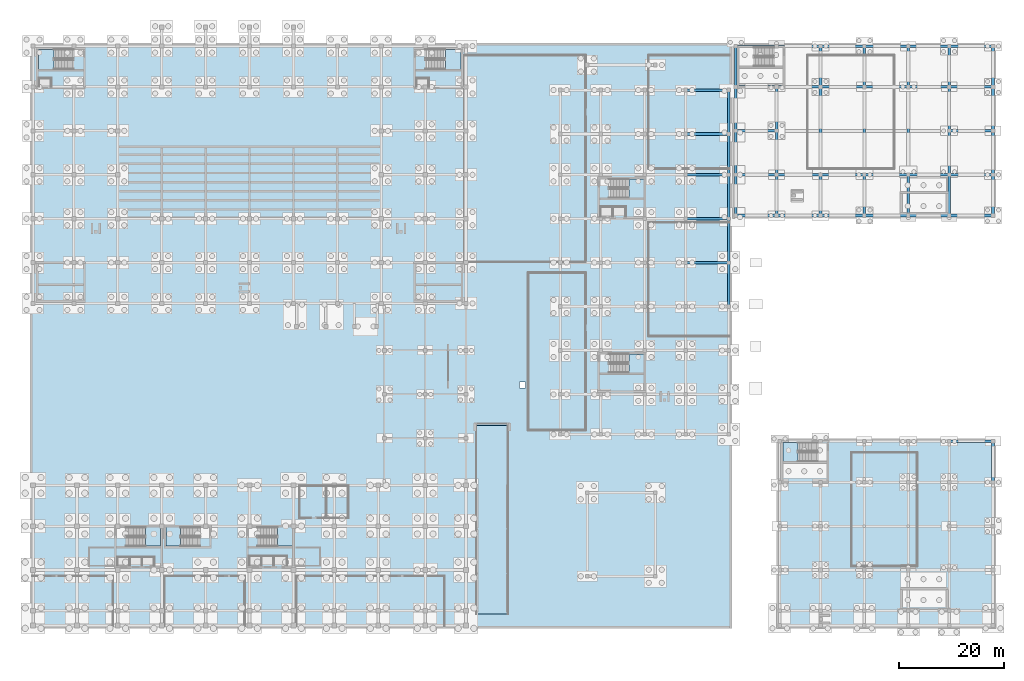
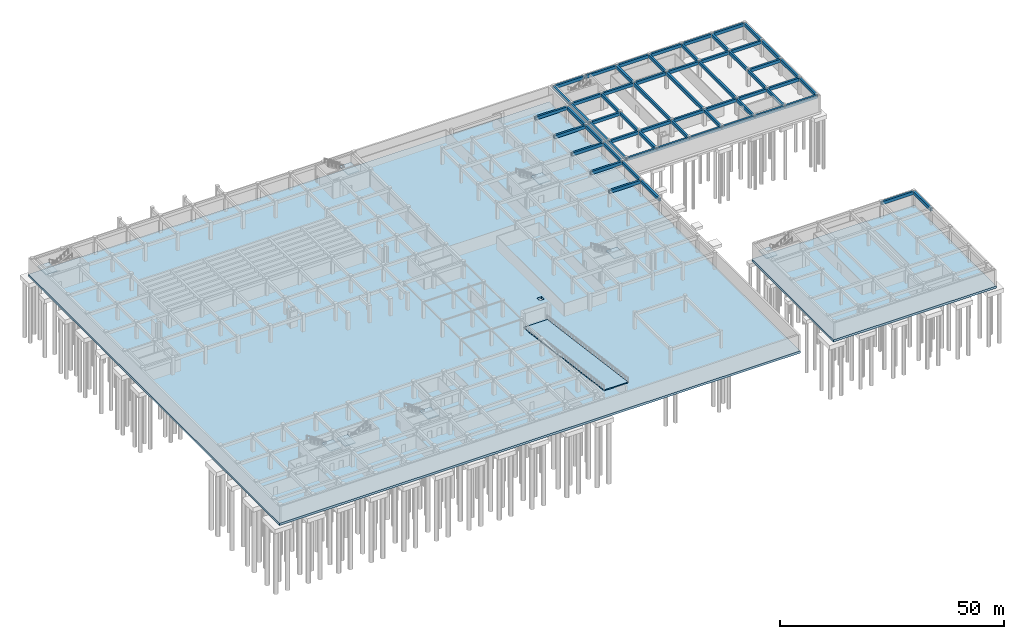
# One storey, part 14 of 35: 62 beams, 11 slabs, 8 elements without a shape of their own.
"""IFC4 building model written with IfcOpenShell, lengths in metres."""

from ifc_helpers import new_model, si_unit, direction, frame, origin, origin_2d, place, context, subcontext, project, spatial, polyline, rectangle, outline, extrude, material, layer, layer_set, material_profile, profile_set, type_object, element, aggregate, save


model = new_model("IFC4")

# Units and contexts
model_context = context("Model", 3, precision=1e-05, world=origin(), true_north=direction((0.0, 1.0)))
body_context = subcontext(model_context, "Body", "Model", "MODEL_VIEW")
ifc_project = project(units=[si_unit("LENGTHUNIT", "METRE"), si_unit("AREAUNIT", "SQUARE_METRE"), si_unit("VOLUMEUNIT", "CUBIC_METRE"), si_unit("PLANEANGLEUNIT", "RADIAN"), si_unit("MASSUNIT", "GRAM", prefix="KILO")], contexts=[model_context])

# Site, building, storey
site_placement = place(None, origin())
site = spatial("IfcSite", under=ifc_project, at=site_placement, CompositionType="ELEMENT")
building_placement = place(site_placement, origin())
building = spatial("IfcBuilding", under=site, at=building_placement, Name="Zayran Congress Hotel", CompositionType="ELEMENT")
storey_placement = place(building_placement, frame((0.0, 0.0, -4.800048828125)))
storey = spatial("IfcBuildingStorey", under=building, at=storey_placement, Name="B1", CompositionType="ELEMENT", Elevation=-4.800048828125)

# Beams
ifc_material_1 = material(Name="Concrete C40/50", Category="concrete")
ifc_material_profile = material_profile(ifc_material_1, rectangle(XDim=0.5, YDim=0.85009765625, at=origin_2d()), Name="RC 500x850")
ifc_profile_set = profile_set([ifc_material_profile], Name="Concrete C40/50")
beam_type = type_object("IfcBeamType", Name="TP-BM-01", PredefinedType="BEAM", material=ifc_profile_set)
beam_1_placement = place(storey_placement, frame((143.39990234375, 85.0, 4.054931640625), z_axis=(1.0, 0.0, 0.0), x_axis=(0.0, 1.0, 0.0)))
element("IfcBeam", 1, at=beam_1_placement, inside=storey, type_object=beam_type, Name="BM-B1-0108", PredefinedType="BEAM", context=body_context, shape_type="SweptSolid", body=[
    extrude(rectangle(XDim=0.5, YDim=0.85009765625, at=origin_2d()), origin(), (0.0, 0.0, 1.0), 7.800048828125),
])
beam_2_placement = place(storey_placement, frame((151.199951171875, 85.0, 4.054931640625), z_axis=(1.0, 0.0, 0.0), x_axis=(0.0, 1.0, 0.0)))
element("IfcBeam", 2, at=beam_2_placement, inside=storey, type_object=beam_type, Name="BM-B1-0109", PredefinedType="BEAM", context=body_context, shape_type="SweptSolid", body=[
    extrude(rectangle(XDim=0.5, YDim=0.85009765625, at=origin_2d()), origin(), (0.0, 0.0, 1.0), 8.400146484375),
])
for number, where, z_axis, x_axis, name in (
    (3, (159.60009765625, 85.0, 4.054931640625), (1.0, 0.0, 0.0), (0.0, 1.0, 0.0), "BM-B1-0110"),
    (4, (168.0, 85.0, 4.054931640625), (1.0, 0.0, 0.0), (0.0, 1.0, 0.0), "BM-B1-0111"),
):
    element("IfcBeam", number, at=place(storey_placement, frame(where, z_axis=z_axis, x_axis=x_axis)), inside=storey, type_object=beam_type, Name=name, PredefinedType="BEAM", context=body_context, shape_type="SweptSolid", body=[
        extrude(rectangle(XDim=0.5, YDim=0.85009765625, at=origin_2d()), origin(), (0.0, 0.0, 1.0), 8.39990234375),
    ])
beam_3_placement = place(storey_placement, frame((176.39990234375, 85.0, 4.054931640625), z_axis=(1.0, 0.0, 0.0), x_axis=(0.0, 1.0, 0.0)))
element("IfcBeam", 5, at=beam_3_placement, inside=storey, type_object=beam_type, Name="BM-B1-0112", PredefinedType="BEAM", context=body_context, shape_type="SweptSolid", body=[
    extrude(rectangle(XDim=0.5, YDim=0.85009765625, at=origin_2d()), origin(), (0.0, 0.0, 1.0), 7.800048828125),
])
beam_4_placement = place(storey_placement, frame((184.199951171875, 85.0, 4.054931640625), z_axis=(1.0, 0.0, 0.0), x_axis=(0.0, 1.0, 0.0)))
element("IfcBeam", 6, at=beam_4_placement, inside=storey, type_object=beam_type, Name="BM-B1-0113", PredefinedType="BEAM", context=body_context, shape_type="SweptSolid", body=[
    extrude(rectangle(XDim=0.5, YDim=0.85009765625, at=origin_2d()), origin(), (0.0, 0.0, 1.0), 8.400146484375),
])
beam_5_placement = place(storey_placement, frame((143.39990234375, 92.800048828125, 4.054931640625), z_axis=(1.0, 0.0, 0.0), x_axis=(0.0, 1.0, 0.0)))
element("IfcBeam", 7, at=beam_5_placement, inside=storey, type_object=beam_type, Name="BM-B1-0114", PredefinedType="BEAM", context=body_context, shape_type="SweptSolid", body=[
    extrude(rectangle(XDim=0.5, YDim=0.85009765625, at=origin_2d()), origin(), (0.0, 0.0, 1.0), 7.800048828125),
])
beam_6_placement = place(storey_placement, frame((151.199951171875, 92.800048828125, 4.054931640625), z_axis=(1.0, 0.0, 0.0), x_axis=(0.0, 1.0, 0.0)))
element("IfcBeam", 8, at=beam_6_placement, inside=storey, type_object=beam_type, Name="BM-B1-0115", PredefinedType="BEAM", context=body_context, shape_type="SweptSolid", body=[
    extrude(rectangle(XDim=0.5, YDim=0.85009765625, at=origin_2d()), origin(), (0.0, 0.0, 1.0), 8.400146484375),
])
for number, where, z_axis, x_axis, name in (
    (9, (159.60009765625, 92.800048828125, 4.054931640625), (1.0, 0.0, 0.0), (0.0, 1.0, 0.0), "BM-B1-0116"),
    (10, (168.0, 92.800048828125, 4.054931640625), (1.0, 0.0, 0.0), (0.0, 1.0, 0.0), "BM-B1-0117"),
):
    element("IfcBeam", number, at=place(storey_placement, frame(where, z_axis=z_axis, x_axis=x_axis)), inside=storey, type_object=beam_type, Name=name, PredefinedType="BEAM", context=body_context, shape_type="SweptSolid", body=[
        extrude(rectangle(XDim=0.5, YDim=0.85009765625, at=origin_2d()), origin(), (0.0, 0.0, 1.0), 8.39990234375),
    ])
beam_7_placement = place(storey_placement, frame((176.39990234375, 92.800048828125, 4.054931640625), z_axis=(1.0, 0.0, 0.0), x_axis=(0.0, 1.0, 0.0)))
element("IfcBeam", 11, at=beam_7_placement, inside=storey, type_object=beam_type, Name="BM-B1-0118", PredefinedType="BEAM", context=body_context, shape_type="SweptSolid", body=[
    extrude(rectangle(XDim=0.5, YDim=0.85009765625, at=origin_2d()), origin(), (0.0, 0.0, 1.0), 7.800048828125),
])
beam_8_placement = place(storey_placement, frame((184.199951171875, 92.800048828125, 4.054931640625), z_axis=(1.0, 0.0, 0.0), x_axis=(0.0, 1.0, 0.0)))
element("IfcBeam", 12, at=beam_8_placement, inside=storey, type_object=beam_type, Name="BM-B1-0119", PredefinedType="BEAM", context=body_context, shape_type="SweptSolid", body=[
    extrude(rectangle(XDim=0.5, YDim=0.85009765625, at=origin_2d()), origin(), (0.0, 0.0, 1.0), 8.400146484375),
])
beam_9_placement = place(storey_placement, frame((143.39990234375, 101.199951171875, 4.054931640625), z_axis=(1.0, 0.0, 0.0), x_axis=(0.0, 1.0, 0.0)))
element("IfcBeam", 13, at=beam_9_placement, inside=storey, type_object=beam_type, Name="BM-B1-0120", PredefinedType="BEAM", context=body_context, shape_type="SweptSolid", body=[
    extrude(rectangle(XDim=0.5, YDim=0.85009765625, at=origin_2d()), origin(), (0.0, 0.0, 1.0), 7.800048828125),
])
beam_10_placement = place(storey_placement, frame((184.199951171875, 101.199951171875, 4.054931640625), z_axis=(1.0, 0.0, 0.0), x_axis=(0.0, 1.0, 0.0)))
element("IfcBeam", 14, at=beam_10_placement, inside=storey, type_object=beam_type, Name="BM-B1-0121", PredefinedType="BEAM", context=body_context, shape_type="SweptSolid", body=[
    extrude(rectangle(XDim=0.5, YDim=0.85009765625, at=origin_2d()), origin(), (0.0, 0.0, 1.0), 8.400146484375),
])
beam_11_placement = place(storey_placement, frame((143.39990234375, 109.60009765625, 4.054931640625), z_axis=(1.0, 0.0, 0.0), x_axis=(0.0, 1.0, 0.0)))
element("IfcBeam", 15, at=beam_11_placement, inside=storey, type_object=beam_type, Name="BM-B1-0122", PredefinedType="BEAM", context=body_context, shape_type="SweptSolid", body=[
    extrude(rectangle(XDim=0.5, YDim=0.85009765625, at=origin_2d()), origin(), (0.0, 0.0, 1.0), 7.800048828125),
])
beam_12_placement = place(storey_placement, frame((151.199951171875, 109.60009765625, 4.054931640625), z_axis=(1.0, 0.0, 0.0), x_axis=(0.0, 1.0, 0.0)))
element("IfcBeam", 16, at=beam_12_placement, inside=storey, type_object=beam_type, Name="BM-B1-0123", PredefinedType="BEAM", context=body_context, shape_type="SweptSolid", body=[
    extrude(rectangle(XDim=0.5, YDim=0.85009765625, at=origin_2d()), origin(), (0.0, 0.0, 1.0), 8.400146484375),
])
for number, where, z_axis, x_axis, name in (
    (17, (159.60009765625, 109.60009765625, 4.054931640625), (1.0, 0.0, 0.0), (0.0, 1.0, 0.0), "BM-B1-0124"),
    (18, (168.0, 109.60009765625, 4.054931640625), (1.0, 0.0, 0.0), (0.0, 1.0, 0.0), "BM-B1-0125"),
):
    element("IfcBeam", number, at=place(storey_placement, frame(where, z_axis=z_axis, x_axis=x_axis)), inside=storey, type_object=beam_type, Name=name, PredefinedType="BEAM", context=body_context, shape_type="SweptSolid", body=[
        extrude(rectangle(XDim=0.5, YDim=0.85009765625, at=origin_2d()), origin(), (0.0, 0.0, 1.0), 8.39990234375),
    ])
beam_13_placement = place(storey_placement, frame((176.39990234375, 109.60009765625, 4.054931640625), z_axis=(1.0, 0.0, 0.0), x_axis=(0.0, 1.0, 0.0)))
element("IfcBeam", 19, at=beam_13_placement, inside=storey, type_object=beam_type, Name="BM-B1-0126", PredefinedType="BEAM", context=body_context, shape_type="SweptSolid", body=[
    extrude(rectangle(XDim=0.5, YDim=0.85009765625, at=origin_2d()), origin(), (0.0, 0.0, 1.0), 7.800048828125),
])
beam_14_placement = place(storey_placement, frame((184.199951171875, 109.60009765625, 4.054931640625), z_axis=(1.0, 0.0, 0.0), x_axis=(0.0, 1.0, 0.0)))
element("IfcBeam", 20, at=beam_14_placement, inside=storey, type_object=beam_type, Name="BM-B1-0127", PredefinedType="BEAM", context=body_context, shape_type="SweptSolid", body=[
    extrude(rectangle(XDim=0.5, YDim=0.85009765625, at=origin_2d()), origin(), (0.0, 0.0, 1.0), 8.400146484375),
])
beam_15_placement = place(storey_placement, frame((143.39990234375, 117.39990234375, 4.054931640625), z_axis=(1.0, 0.0, 0.0), x_axis=(0.0, 1.0, 0.0)))
element("IfcBeam", 21, at=beam_15_placement, inside=storey, type_object=beam_type, Name="BM-B1-0128", PredefinedType="BEAM", context=body_context, shape_type="SweptSolid", body=[
    extrude(rectangle(XDim=0.5, YDim=0.85009765625, at=origin_2d()), origin(), (0.0, 0.0, 1.0), 7.800048828125),
])
beam_16_placement = place(storey_placement, frame((151.199951171875, 117.39990234375, 4.054931640625), z_axis=(1.0, 0.0, 0.0), x_axis=(0.0, 1.0, 0.0)))
element("IfcBeam", 22, at=beam_16_placement, inside=storey, type_object=beam_type, Name="BM-B1-0129", PredefinedType="BEAM", context=body_context, shape_type="SweptSolid", body=[
    extrude(rectangle(XDim=0.5, YDim=0.85009765625, at=origin_2d()), origin(), (0.0, 0.0, 1.0), 8.400146484375),
])
for number, where, z_axis, x_axis, name in (
    (23, (159.60009765625, 117.39990234375, 4.054931640625), (1.0, 0.0, 0.0), (0.0, 1.0, 0.0), "BM-B1-0130"),
    (24, (168.0, 117.39990234375, 4.054931640625), (1.0, 0.0, 0.0), (0.0, 1.0, 0.0), "BM-B1-0131"),
):
    element("IfcBeam", number, at=place(storey_placement, frame(where, z_axis=z_axis, x_axis=x_axis)), inside=storey, type_object=beam_type, Name=name, PredefinedType="BEAM", context=body_context, shape_type="SweptSolid", body=[
        extrude(rectangle(XDim=0.5, YDim=0.85009765625, at=origin_2d()), origin(), (0.0, 0.0, 1.0), 8.39990234375),
    ])
beam_17_placement = place(storey_placement, frame((176.39990234375, 117.39990234375, 4.054931640625), z_axis=(1.0, 0.0, 0.0), x_axis=(0.0, 1.0, 0.0)))
element("IfcBeam", 25, at=beam_17_placement, inside=storey, type_object=beam_type, Name="BM-B1-0132", PredefinedType="BEAM", context=body_context, shape_type="SweptSolid", body=[
    extrude(rectangle(XDim=0.5, YDim=0.85009765625, at=origin_2d()), origin(), (0.0, 0.0, 1.0), 7.800048828125),
])
beam_18_placement = place(storey_placement, frame((184.199951171875, 117.39990234375, 4.054931640625), z_axis=(1.0, 0.0, 0.0), x_axis=(0.0, 1.0, 0.0)))
element("IfcBeam", 26, at=beam_18_placement, inside=storey, type_object=beam_type, Name="BM-B1-0133", PredefinedType="BEAM", context=body_context, shape_type="SweptSolid", body=[
    extrude(rectangle(XDim=0.5, YDim=0.85009765625, at=origin_2d()), origin(), (0.0, 0.0, 1.0), 8.400146484375),
])
beam_19_placement = place(storey_placement, frame((143.39990234375, 85.0, 4.054931640625), z_axis=(0.0, 1.0, 0.0), x_axis=(-1.0, 0.0, 0.0)))
element("IfcBeam", 27, at=beam_19_placement, inside=storey, type_object=beam_type, Name="BM-B1-0134", PredefinedType="BEAM", context=body_context, shape_type="SweptSolid", body=[
    extrude(rectangle(XDim=0.5, YDim=0.85009765625, at=origin_2d()), origin(), (0.0, 0.0, 1.0), 7.800048828125),
])
beam_20_placement = place(storey_placement, frame((143.39990234375, 92.800048828125, 4.054931640625), z_axis=(0.0, 1.0, 0.0), x_axis=(-1.0, 0.0, 0.0)))
element("IfcBeam", 28, at=beam_20_placement, inside=storey, type_object=beam_type, Name="BM-B1-0135", PredefinedType="BEAM", context=body_context, shape_type="SweptSolid", body=[
    extrude(rectangle(XDim=0.5, YDim=0.85009765625, at=origin_2d()), origin(), (0.0, 0.0, 1.0), 8.39990234375),
])
beam_21_placement = place(storey_placement, frame((143.39990234375, 101.199951171875, 4.054931640625), z_axis=(0.0, 1.0, 0.0), x_axis=(-1.0, 0.0, 0.0)))
element("IfcBeam", 29, at=beam_21_placement, inside=storey, type_object=beam_type, Name="BM-B1-0136", PredefinedType="BEAM", context=body_context, shape_type="SweptSolid", body=[
    extrude(rectangle(XDim=0.5, YDim=0.85009765625, at=origin_2d()), origin(), (0.0, 0.0, 1.0), 8.400146484375),
])
beam_22_placement = place(storey_placement, frame((143.39990234375, 109.60009765625, 4.054931640625), z_axis=(0.0, 1.0, 0.0), x_axis=(-1.0, 0.0, 0.0)))
element("IfcBeam", 30, at=beam_22_placement, inside=storey, type_object=beam_type, Name="BM-B1-0137", PredefinedType="BEAM", context=body_context, shape_type="SweptSolid", body=[
    extrude(rectangle(XDim=0.5, YDim=0.85009765625, at=origin_2d()), origin(), (0.0, 0.0, 1.0), 7.7998046875),
])
beam_23_placement = place(storey_placement, frame((151.199951171875, 85.0, 4.054931640625), z_axis=(0.0, 1.0, 0.0), x_axis=(-1.0, 0.0, 0.0)))
element("IfcBeam", 31, at=beam_23_placement, inside=storey, type_object=beam_type, Name="BM-B1-0138", PredefinedType="BEAM", context=body_context, shape_type="SweptSolid", body=[
    extrude(rectangle(XDim=0.5, YDim=0.85009765625, at=origin_2d()), origin(), (0.0, 0.0, 1.0), 7.800048828125),
])
beam_24_placement = place(storey_placement, frame((151.199951171875, 92.800048828125, 4.054931640625), z_axis=(0.0, 1.0, 0.0), x_axis=(-1.0, 0.0, 0.0)))
element("IfcBeam", 32, at=beam_24_placement, inside=storey, type_object=beam_type, Name="BM-B1-0139", PredefinedType="BEAM", context=body_context, shape_type="SweptSolid", body=[
    extrude(rectangle(XDim=0.5, YDim=0.85009765625, at=origin_2d()), origin(), (0.0, 0.0, 1.0), 8.39990234375),
])
beam_25_placement = place(storey_placement, frame((151.199951171875, 101.199951171875, 4.054931640625), z_axis=(0.0, 1.0, 0.0), x_axis=(-1.0, 0.0, 0.0)))
element("IfcBeam", 33, at=beam_25_placement, inside=storey, type_object=beam_type, Name="BM-B1-0140", PredefinedType="BEAM", context=body_context, shape_type="SweptSolid", body=[
    extrude(rectangle(XDim=0.5, YDim=0.85009765625, at=origin_2d()), origin(), (0.0, 0.0, 1.0), 8.400146484375),
])
beam_26_placement = place(storey_placement, frame((159.60009765625, 85.0, 4.054931640625), z_axis=(0.0, 1.0, 0.0), x_axis=(-1.0, 0.0, 0.0)))
element("IfcBeam", 34, at=beam_26_placement, inside=storey, type_object=beam_type, Name="BM-B1-0142", PredefinedType="BEAM", context=body_context, shape_type="SweptSolid", body=[
    extrude(rectangle(XDim=0.5, YDim=0.85009765625, at=origin_2d()), origin(), (0.0, 0.0, 1.0), 7.800048828125),
])
beam_27_placement = place(storey_placement, frame((159.60009765625, 92.800048828125, 4.054931640625), z_axis=(0.0, 1.0, 0.0), x_axis=(-1.0, 0.0, 0.0)))
element("IfcBeam", 35, at=beam_27_placement, inside=storey, type_object=beam_type, Name="BM-B1-0143", PredefinedType="BEAM", context=body_context, shape_type="SweptSolid", body=[
    extrude(rectangle(XDim=0.5, YDim=0.85009765625, at=origin_2d()), origin(), (0.0, 0.0, 1.0), 16.800048828125),
])
beam_28_placement = place(storey_placement, frame((159.60009765625, 109.60009765625, 4.054931640625), z_axis=(0.0, 1.0, 0.0), x_axis=(-1.0, 0.0, 0.0)))
element("IfcBeam", 36, at=beam_28_placement, inside=storey, type_object=beam_type, Name="BM-B1-0144", PredefinedType="BEAM", context=body_context, shape_type="SweptSolid", body=[
    extrude(rectangle(XDim=0.5, YDim=0.85009765625, at=origin_2d()), origin(), (0.0, 0.0, 1.0), 7.7998046875),
])
beam_29_placement = place(storey_placement, frame((168.0, 85.0, 4.054931640625), z_axis=(0.0, 1.0, 0.0), x_axis=(-1.0, 0.0, 0.0)))
element("IfcBeam", 37, at=beam_29_placement, inside=storey, type_object=beam_type, Name="BM-B1-0145", PredefinedType="BEAM", context=body_context, shape_type="SweptSolid", body=[
    extrude(rectangle(XDim=0.5, YDim=0.85009765625, at=origin_2d()), origin(), (0.0, 0.0, 1.0), 7.800048828125),
])
beam_30_placement = place(storey_placement, frame((168.0, 92.800048828125, 4.054931640625), z_axis=(0.0, 1.0, 0.0), x_axis=(-1.0, 0.0, 0.0)))
element("IfcBeam", 38, at=beam_30_placement, inside=storey, type_object=beam_type, Name="BM-B1-0146", PredefinedType="BEAM", context=body_context, shape_type="SweptSolid", body=[
    extrude(rectangle(XDim=0.5, YDim=0.85009765625, at=origin_2d()), origin(), (0.0, 0.0, 1.0), 16.800048828125),
])
beam_31_placement = place(storey_placement, frame((168.0, 109.60009765625, 4.054931640625), z_axis=(0.0, 1.0, 0.0), x_axis=(-1.0, 0.0, 0.0)))
element("IfcBeam", 39, at=beam_31_placement, inside=storey, type_object=beam_type, Name="BM-B1-0147", PredefinedType="BEAM", context=body_context, shape_type="SweptSolid", body=[
    extrude(rectangle(XDim=0.5, YDim=0.85009765625, at=origin_2d()), origin(), (0.0, 0.0, 1.0), 7.7998046875),
])
beam_32_placement = place(storey_placement, frame((176.39990234375, 85.0, 4.054931640625), z_axis=(0.0, 1.0, 0.0), x_axis=(-1.0, 0.0, 0.0)))
element("IfcBeam", 40, at=beam_32_placement, inside=storey, type_object=beam_type, Name="BM-B1-0148", PredefinedType="BEAM", context=body_context, shape_type="SweptSolid", body=[
    extrude(rectangle(XDim=0.5, YDim=0.85009765625, at=origin_2d()), origin(), (0.0, 0.0, 1.0), 7.800048828125),
])
beam_33_placement = place(storey_placement, frame((176.39990234375, 92.800048828125, 4.054931640625), z_axis=(0.0, 1.0, 0.0), x_axis=(-1.0, 0.0, 0.0)))
element("IfcBeam", 41, at=beam_33_placement, inside=storey, type_object=beam_type, Name="BM-B1-0149", PredefinedType="BEAM", context=body_context, shape_type="SweptSolid", body=[
    extrude(rectangle(XDim=0.5, YDim=0.85009765625, at=origin_2d()), origin(), (0.0, 0.0, 1.0), 16.800048828125),
])
beam_34_placement = place(storey_placement, frame((176.39990234375, 109.60009765625, 4.054931640625), z_axis=(0.0, 1.0, 0.0), x_axis=(-1.0, 0.0, 0.0)))
element("IfcBeam", 42, at=beam_34_placement, inside=storey, type_object=beam_type, Name="BM-B1-0150", PredefinedType="BEAM", context=body_context, shape_type="SweptSolid", body=[
    extrude(rectangle(XDim=0.5, YDim=0.85009765625, at=origin_2d()), origin(), (0.0, 0.0, 1.0), 7.7998046875),
])
beam_35_placement = place(storey_placement, frame((184.199951171875, 85.0, 4.054931640625), z_axis=(0.0, 1.0, 0.0), x_axis=(-1.0, 0.0, 0.0)))
element("IfcBeam", 43, at=beam_35_placement, inside=storey, type_object=beam_type, Name="BM-B1-0151", PredefinedType="BEAM", context=body_context, shape_type="SweptSolid", body=[
    extrude(rectangle(XDim=0.5, YDim=0.85009765625, at=origin_2d()), origin(), (0.0, 0.0, 1.0), 7.800048828125),
])
beam_36_placement = place(storey_placement, frame((184.199951171875, 92.800048828125, 4.054931640625), z_axis=(0.0, 1.0, 0.0), x_axis=(-1.0, 0.0, 0.0)))
element("IfcBeam", 44, at=beam_36_placement, inside=storey, type_object=beam_type, Name="BM-B1-0152", PredefinedType="BEAM", context=body_context, shape_type="SweptSolid", body=[
    extrude(rectangle(XDim=0.5, YDim=0.85009765625, at=origin_2d()), origin(), (0.0, 0.0, 1.0), 8.39990234375),
])
beam_37_placement = place(storey_placement, frame((184.199951171875, 101.199951171875, 4.054931640625), z_axis=(0.0, 1.0, 0.0), x_axis=(-1.0, 0.0, 0.0)))
element("IfcBeam", 45, at=beam_37_placement, inside=storey, type_object=beam_type, Name="BM-B1-0153", PredefinedType="BEAM", context=body_context, shape_type="SweptSolid", body=[
    extrude(rectangle(XDim=0.5, YDim=0.85009765625, at=origin_2d()), origin(), (0.0, 0.0, 1.0), 8.400146484375),
])
beam_38_placement = place(storey_placement, frame((184.199951171875, 109.60009765625, 4.054931640625), z_axis=(0.0, 1.0, 0.0), x_axis=(-1.0, 0.0, 0.0)))
element("IfcBeam", 46, at=beam_38_placement, inside=storey, type_object=beam_type, Name="BM-B1-0154", PredefinedType="BEAM", context=body_context, shape_type="SweptSolid", body=[
    extrude(rectangle(XDim=0.5, YDim=0.85009765625, at=origin_2d()), origin(), (0.0, 0.0, 1.0), 7.7998046875),
])
beam_39_placement = place(storey_placement, frame((192.60009765625, 85.0, 4.054931640625), z_axis=(0.0, 1.0, 0.0), x_axis=(-1.0, 0.0, 0.0)))
element("IfcBeam", 47, at=beam_39_placement, inside=storey, type_object=beam_type, Name="BM-B1-0155", PredefinedType="BEAM", context=body_context, shape_type="SweptSolid", body=[
    extrude(rectangle(XDim=0.5, YDim=0.85009765625, at=origin_2d()), origin(), (0.0, 0.0, 1.0), 7.800048828125),
])
beam_40_placement = place(storey_placement, frame((192.60009765625, 92.800048828125, 4.054931640625), z_axis=(0.0, 1.0, 0.0), x_axis=(-1.0, 0.0, 0.0)))
element("IfcBeam", 48, at=beam_40_placement, inside=storey, type_object=beam_type, Name="BM-B1-0156", PredefinedType="BEAM", context=body_context, shape_type="SweptSolid", body=[
    extrude(rectangle(XDim=0.5, YDim=0.85009765625, at=origin_2d()), origin(), (0.0, 0.0, 1.0), 8.39990234375),
])
beam_41_placement = place(storey_placement, frame((192.60009765625, 101.199951171875, 4.054931640625), z_axis=(0.0, 1.0, 0.0), x_axis=(-1.0, 0.0, 0.0)))
element("IfcBeam", 49, at=beam_41_placement, inside=storey, type_object=beam_type, Name="BM-B1-0157", PredefinedType="BEAM", context=body_context, shape_type="SweptSolid", body=[
    extrude(rectangle(XDim=0.5, YDim=0.85009765625, at=origin_2d()), origin(), (0.0, 0.0, 1.0), 8.400146484375),
])
beam_42_placement = place(storey_placement, frame((192.60009765625, 109.60009765625, 4.054931640625), z_axis=(0.0, 1.0, 0.0), x_axis=(-1.0, 0.0, 0.0)))
element("IfcBeam", 50, at=beam_42_placement, inside=storey, type_object=beam_type, Name="BM-B1-0158", PredefinedType="BEAM", context=body_context, shape_type="SweptSolid", body=[
    extrude(rectangle(XDim=0.5, YDim=0.85009765625, at=origin_2d()), origin(), (0.0, 0.0, 1.0), 7.7998046875),
])
beam_43_placement = place(storey_placement, frame((184.199951171875, 41.800048828125, 4.054931640625), z_axis=(1.0, 0.0, 0.0), x_axis=(0.0, 1.0, 0.0)))
element("IfcBeam", 51, at=beam_43_placement, inside=storey, type_object=beam_type, Name="BM-B1-0185", PredefinedType="BEAM", context=body_context, shape_type="SweptSolid", body=[
    extrude(rectangle(XDim=0.5, YDim=0.85009765625, at=origin_2d()), origin(), (0.0, 0.0, 1.0), 8.400146484375),
])
beam_44_placement = place(storey_placement, frame((192.60009765625, 34.0, 4.054931640625), z_axis=(0.0, 1.0, 0.0), x_axis=(-1.0, 0.0, 0.0)))
element("IfcBeam", 52, at=beam_44_placement, inside=storey, type_object=beam_type, Name="BM-B1-0213", PredefinedType="BEAM", context=body_context, shape_type="SweptSolid", body=[
    extrude(rectangle(XDim=0.5, YDim=0.85009765625, at=origin_2d()), origin(), (0.0, 0.0, 1.0), 7.800048828125),
])
for number, where, z_axis, x_axis, name in (
    (53, (133.800048828125, 76.0, 4.054931640625), (1.0, 0.0, 0.0), (0.0, 1.0, 0.0), "BM-B1-0233"),
    (54, (133.800048828125, 84.39990234375, 4.054931640625), (1.0, 0.0, 0.0), (0.0, 1.0, 0.0), "BM-B1-0237"),
    (55, (133.800048828125, 92.800048828125, 4.054931640625), (1.0, 0.0, 0.0), (0.0, 1.0, 0.0), "BM-B1-0241"),
    (56, (133.800048828125, 100.60009765625, 4.054931640625), (1.0, 0.0, 0.0), (0.0, 1.0, 0.0), "BM-B1-0245"),
    (57, (133.800048828125, 109.0, 4.054931640625), (1.0, 0.0, 0.0), (0.0, 1.0, 0.0), "BM-B1-0249"),
):
    element("IfcBeam", number, at=place(storey_placement, frame(where, z_axis=z_axis, x_axis=x_axis)), inside=storey, type_object=beam_type, Name=name, PredefinedType="BEAM", context=body_context, shape_type="SweptSolid", body=[
        extrude(rectangle(XDim=0.5, YDim=0.85009765625, at=origin_2d()), origin(), (0.0, 0.0, 1.0), 8.25),
    ])
for number, where, z_axis, x_axis, name in (
    (58, (142.050048828125, 67.60009765625, 4.054931640625), (0.0, 1.0, 0.0), (-1.0, 0.0, 0.0), "BM-B1-0283"),
    (59, (142.050048828125, 76.0, 4.054931640625), (0.0, 1.0, 0.0), (-1.0, 0.0, 0.0), "BM-B1-0284"),
):
    element("IfcBeam", number, at=place(storey_placement, frame(where, z_axis=z_axis, x_axis=x_axis)), inside=storey, type_object=beam_type, Name=name, PredefinedType="BEAM", context=body_context, shape_type="SweptSolid", body=[
        extrude(rectangle(XDim=0.5, YDim=0.85009765625, at=origin_2d()), origin(), (0.0, 0.0, 1.0), 8.39990234375),
    ])
beam_45_placement = place(storey_placement, frame((142.050048828125, 84.39990234375, 4.054931640625), z_axis=(0.0, 1.0, 0.0), x_axis=(-1.0, 0.0, 0.0)))
element("IfcBeam", 60, at=beam_45_placement, inside=storey, type_object=beam_type, Name="BM-B1-0285", PredefinedType="BEAM", context=body_context, shape_type="SweptSolid", body=[
    extrude(rectangle(XDim=0.5, YDim=0.85009765625, at=origin_2d()), origin(), (0.0, 0.0, 1.0), 8.400146484375),
])
beam_46_placement = place(storey_placement, frame((142.050048828125, 92.800048828125, 4.054931640625), z_axis=(0.0, 1.0, 0.0), x_axis=(-1.0, 0.0, 0.0)))
element("IfcBeam", 61, at=beam_46_placement, inside=storey, type_object=beam_type, Name="BM-B1-0286", PredefinedType="BEAM", context=body_context, shape_type="SweptSolid", body=[
    extrude(rectangle(XDim=0.5, YDim=0.85009765625, at=origin_2d()), origin(), (0.0, 0.0, 1.0), 7.800048828125),
])
beam_47_placement = place(storey_placement, frame((142.050048828125, 100.60009765625, 4.054931640625), z_axis=(0.0, 1.0, 0.0), x_axis=(-1.0, 0.0, 0.0)))
element("IfcBeam", 62, at=beam_47_placement, inside=storey, type_object=beam_type, Name="BM-B1-0287", PredefinedType="BEAM", context=body_context, shape_type="SweptSolid", body=[
    extrude(rectangle(XDim=0.5, YDim=0.85009765625, at=origin_2d()), origin(), (0.0, 0.0, 1.0), 8.39990234375),
])

# Slabs
ifc_material_2 = material(Name="Concrete C32/40", Category="concrete")
ifc_layer_1 = layer(ifc_material_2, 0.60009765625)
ifc_layer_set_1 = layer_set([ifc_layer_1], Name="Concrete C32/40")
slab_type_1 = type_object("IfcSlabType", Name="SL-BS-600", PredefinedType="BASESLAB", material=ifc_layer_set_1)
slab_1_placement = place(storey_placement, frame((0.0, 0.0, -0.599853515625)))
element("IfcSlab", 63, at=slab_1_placement, inside=storey, type_object=slab_type_1, Name="SLB-B1-BASE", PredefinedType="BASESLAB", context=body_context, shape_type="SweptSolid", body=[
    extrude(outline(polyline([(8.39990234375, 6.0), (142.64990234375, 6.0), (142.64990234375, 118.0), (8.39990234375, 118.0), (8.39990234375, 6.0)]), holes=[polyline([(102.0, 52.0), (103.219970703125, 52.0), (103.219970703125, 53.179931640625), (102.0, 53.179931640625), (102.0, 52.0)])]), origin(), (0.0, 0.0, 1.0), 0.599853515625),
])
slab_2_placement = place(storey_placement, frame((0.0, 0.0, -0.599853515625)))
element("IfcSlab", 64, at=slab_2_placement, inside=storey, type_object=slab_type_1, Name="Spa Pavilion Basement Base Slab", PredefinedType="BASESLAB", context=body_context, shape_type="SweptSolid", body=[
    extrude(outline(polyline([(151.199951171875, 6.0), (193.199951171875, 6.0), (193.199951171875, 42.39990234375), (151.199951171875, 42.39990234375), (151.199951171875, 6.0)])), origin(), (0.0, 0.0, 1.0), 0.599853515625),
])
ifc_layer_2 = layer(ifc_material_1, 0.25)
ifc_layer_set_2 = layer_set([ifc_layer_2], Name="Concrete C40/50")
slab_type_2 = type_object("IfcSlabType", Name="SL-RM-250", PredefinedType="FLOOR", material=ifc_layer_set_2)
slab_3_placement = place(storey_placement, frame((93.699951171875, 8.800048828125, 4.800048828125), z_axis=(0.0, 0.132165041046, 0.991227724554), x_axis=(1.0, 0.0, 0.0)))
element("IfcSlab", 65, at=slab_3_placement, inside=storey, type_object=slab_type_2, Name="Basement Two Way Vehicle Ramp Structural Slab", PredefinedType="FLOOR", context=body_context, shape_type="SweptSolid", body=[
    extrude(outline(polyline([(0.0, 0.0), (6.199951171875, 0.0), (6.199951171875, 36.31859673435063), (0.0, 36.31859673435063), (0.0, 0.0)])), origin(), (0.0, 0.0, -1.0), 0.25),
])

# Stair, slab
stair_type_1 = type_object("IfcStairType", Name="TP-STR-1700-48", PredefinedType="USERDEFINED", material=ifc_material_2)
stair_1_placement = place(storey_placement, origin())
stair_1 = element("IfcStair", 66, at=stair_1_placement, inside=storey, type_object=stair_type_1, Name="B1 ST-01", ObjectType="TWO_RETURN_STAIR", PredefinedType="USERDEFINED")
ifc_layer_3 = layer(ifc_material_2, 0.199951171875)
ifc_layer_set_3 = layer_set([ifc_layer_3], Name="Concrete C32/40")
slab_type_3 = type_object("IfcSlabType", Name="TP-LND-1700", PredefinedType="LANDING", material=ifc_layer_set_3)
slab_4_placement = place(storey_placement, frame((0.0, 0.0, 2.199951171875)))
slab_4 = element("IfcSlab", 67, at=slab_4_placement, type_object=slab_type_3, Name="ST-01 landing 1", PredefinedType="LANDING", context=body_context, shape_type="SweptSolid", body=[
    extrude(outline(polyline([(30.534912109375, 21.760009765625), (33.39990234375, 21.760009765625), (33.39990234375, 25.39990234375), (30.534912109375, 25.39990234375), (30.534912109375, 21.760009765625)])), origin(), (0.0, 0.0, 1.0), 0.2001953125),
])
aggregate(stair_1, [slab_4])

stair_2_placement = place(storey_placement, origin())
stair_2 = element("IfcStair", 68, at=stair_2_placement, inside=storey, type_object=stair_type_1, Name="B1 ST-02", ObjectType="TWO_RETURN_STAIR", PredefinedType="USERDEFINED")
slab_5_placement = place(storey_placement, frame((0.0, 0.0, 2.199951171875)))
slab_5 = element("IfcSlab", 69, at=slab_5_placement, type_object=slab_type_3, Name="ST-02 landing 1", PredefinedType="LANDING", context=body_context, shape_type="SweptSolid", body=[
    extrude(outline(polyline([(55.735107421875, 21.760009765625), (58.60009765625, 21.760009765625), (58.60009765625, 25.39990234375), (55.735107421875, 25.39990234375), (55.735107421875, 21.760009765625)])), origin(), (0.0, 0.0, 1.0), 0.2001953125),
])
aggregate(stair_2, [slab_5])

stair_3_placement = place(storey_placement, origin())
stair_3 = element("IfcStair", 70, at=stair_3_placement, inside=storey, type_object=stair_type_1, Name="B1 ST-13", ObjectType="TWO_RETURN_STAIR", PredefinedType="USERDEFINED")
slab_6_placement = place(storey_placement, frame((0.0, 0.0, 2.199951171875)))
slab_6 = element("IfcSlab", 71, at=slab_6_placement, type_object=slab_type_3, Name="ST-13 landing 1", PredefinedType="LANDING", context=body_context, shape_type="SweptSolid", body=[
    extrude(outline(polyline([(37.1650390625, 25.39990234375), (34.39990234375, 25.39990234375), (34.39990234375, 21.760009765625), (37.1650390625, 21.760009765625), (37.1650390625, 25.39990234375)])), origin(), (0.0, 0.0, 1.0), 0.2001953125),
])
aggregate(stair_3, [slab_6])

stair_4_placement = place(storey_placement, origin())
stair_4 = element("IfcStair", 72, at=stair_4_placement, inside=storey, type_object=stair_type_1, Name="B1 ST-07", ObjectType="TWO_RETURN_STAIR", PredefinedType="USERDEFINED")
slab_7_placement = place(storey_placement, frame((0.0, 0.0, 2.199951171875)))
slab_7 = element("IfcSlab", 73, at=slab_7_placement, type_object=slab_type_3, Name="ST-07 landing 1", PredefinedType="LANDING", context=body_context, shape_type="SweptSolid", body=[
    extrude(outline(polyline([(122.93505859375, 88.360107421875), (125.800048828125, 88.360107421875), (125.800048828125, 92.0), (122.93505859375, 92.0), (122.93505859375, 88.360107421875)])), origin(), (0.0, 0.0, 1.0), 0.2001953125),
])
aggregate(stair_4, [slab_7])

stair_5_placement = place(storey_placement, origin())
stair_5 = element("IfcStair", 74, at=stair_5_placement, inside=storey, type_object=stair_type_1, Name="B1 ST-08", ObjectType="TWO_RETURN_STAIR", PredefinedType="USERDEFINED")
slab_8_placement = place(storey_placement, frame((0.0, 0.0, 2.199951171875)))
slab_8 = element("IfcSlab", 75, at=slab_8_placement, type_object=slab_type_3, Name="ST-08 landing 1", PredefinedType="LANDING", context=body_context, shape_type="SweptSolid", body=[
    extrude(outline(polyline([(122.93505859375, 54.909912109375), (125.800048828125, 54.909912109375), (125.800048828125, 58.550048828125), (122.93505859375, 58.550048828125), (122.93505859375, 54.909912109375)])), origin(), (0.0, 0.0, 1.0), 0.2001953125),
])
aggregate(stair_5, [slab_8])

stair_6_placement = place(storey_placement, origin())
stair_6 = element("IfcStair", 76, at=stair_6_placement, inside=storey, type_object=stair_type_1, Name="B1 ST-11", ObjectType="TWO_RETURN_STAIR", PredefinedType="USERDEFINED")
slab_9_placement = place(storey_placement, frame((0.0, 0.0, 2.199951171875)))
slab_9 = element("IfcSlab", 77, at=slab_9_placement, type_object=slab_type_3, Name="ST-11 landing 1", PredefinedType="LANDING", context=body_context, shape_type="SweptSolid", body=[
    extrude(outline(polyline([(155.264892578125, 41.60009765625), (152.39990234375, 41.60009765625), (152.39990234375, 37.9599609375), (155.264892578125, 37.9599609375), (155.264892578125, 41.60009765625)])), origin(), (0.0, 0.0, 1.0), 0.2001953125),
])
aggregate(stair_6, [slab_9])

stair_type_2 = type_object("IfcStairType", Name="TP-STR-1800-48", PredefinedType="USERDEFINED", material=ifc_material_2)
stair_7_placement = place(storey_placement, origin())
stair_7 = element("IfcStair", 78, at=stair_7_placement, inside=storey, type_object=stair_type_2, Name="B1 ST-03", ObjectType="TWO_RETURN_STAIR", PredefinedType="USERDEFINED")
ifc_layer_4 = layer(ifc_material_2, 0.199951171875)
ifc_layer_set_4 = layer_set([ifc_layer_4], Name="Concrete C32/40")
slab_type_4 = type_object("IfcSlabType", Name="TP-LND-1800", PredefinedType="LANDING", material=ifc_layer_set_4)
slab_10_placement = place(storey_placement, frame((0.0, 0.0, 2.199951171875)))
slab_10 = element("IfcSlab", 79, at=slab_10_placement, type_object=slab_type_4, Name="ST-03 landing 1", PredefinedType="LANDING", context=body_context, shape_type="SweptSolid", body=[
    extrude(outline(polyline([(12.965087890625, 116.800048828125), (10.0, 116.800048828125), (10.0, 112.9599609375), (12.965087890625, 112.9599609375), (12.965087890625, 116.800048828125)])), origin(), (0.0, 0.0, 1.0), 0.2001953125),
])
aggregate(stair_7, [slab_10])

stair_8_placement = place(storey_placement, origin())
stair_8 = element("IfcStair", 80, at=stair_8_placement, inside=storey, type_object=stair_type_2, Name="B1 ST-04", ObjectType="TWO_RETURN_STAIR", PredefinedType="USERDEFINED")
slab_11_placement = place(storey_placement, frame((0.0, 0.0, 2.199951171875)))
slab_11 = element("IfcSlab", 81, at=slab_11_placement, type_object=slab_type_4, Name="ST-04 landing 1", PredefinedType="LANDING", context=body_context, shape_type="SweptSolid", body=[
    extrude(outline(polyline([(87.8349609375, 112.9599609375), (90.800048828125, 112.9599609375), (90.800048828125, 116.800048828125), (87.8349609375, 116.800048828125), (87.8349609375, 112.9599609375)])), origin(), (0.0, 0.0, 1.0), 0.2001953125),
])
aggregate(stair_8, [slab_11])

save(model, "model.ifc")
